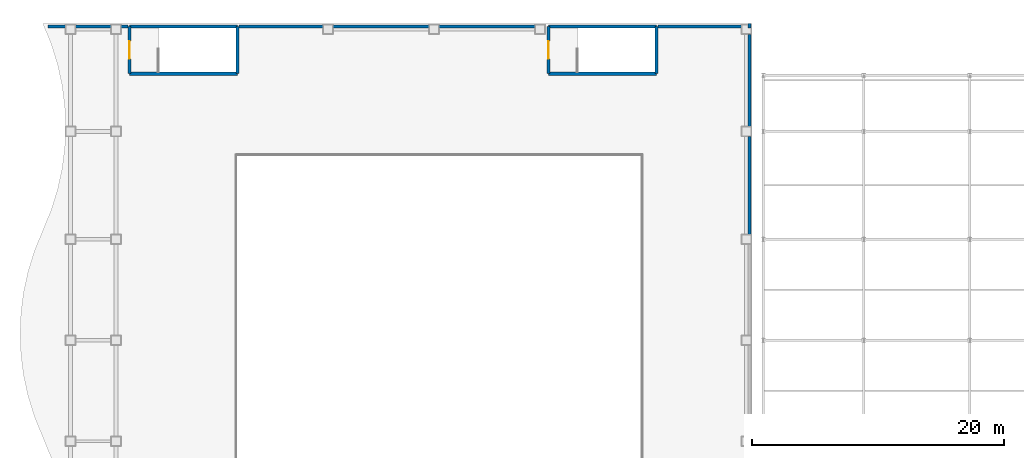
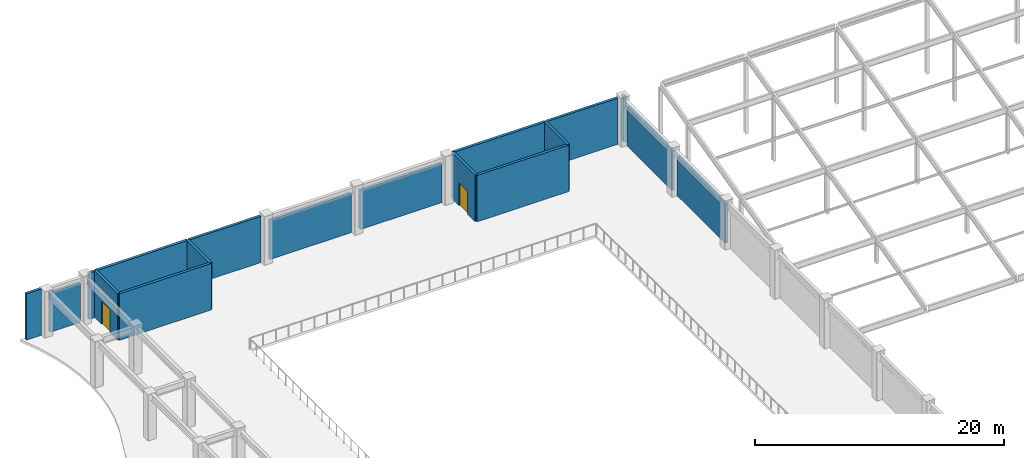
# One storey, part 75 of 93: 18 walls, 2 doors, 2 openings.
"""IFC4 building model written with IfcOpenShell, lengths in metres."""

import ifcopenshell
import ifcopenshell.guid

model = None  # the IFC model being written
_history = None  # IfcOwnerHistory: only IFC2X3 demands one
_inside = {}  # id of a spatial element -> (the spatial element, [elements in it])
_under = {}  # id of a project, library or spatial element -> (it, [spatial elements below it])
_declared = {}  # id of a project -> (the project, [libraries it declares])
_typed = {}  # id of a type object -> (the type object, [elements of that type])
_made_of = {}  # id of a material, layer set ... -> (it, [elements and type objects made of it])


def new_model(schema):
    """Start an empty IFC model of exactly this schema.

    Asked for "IFC4X3", IfcOpenShell would pick the latest addendum, in which some entities
    have other attributes; the version numbers below select the first issue.
    IFC2X3 requires an IfcOwnerHistory on every rooted entity: one is made here for all.
    """
    global model, _history
    if schema == "IFC4X3":
        model = ifcopenshell.file(schema_version=(4, 3, 0, 0))
    else:
        model = ifcopenshell.file(schema=schema)
    _inside.clear()
    _under.clear()
    _declared.clear()
    _typed.clear()
    _made_of.clear()
    _history = None
    if model.schema == "IFC2X3":
        org = make("IfcOrganization", Name="unknown")
        user = make(
            "IfcPersonAndOrganization",
            ThePerson=make("IfcPerson", FamilyName="unknown"),
            TheOrganization=org,
        )
        app = make(
            "IfcApplication",
            ApplicationDeveloper=org,
            Version="unknown",
            ApplicationFullName="unknown",
            ApplicationIdentifier="unknown",
        )
        _history = make(
            "IfcOwnerHistory",
            OwningUser=user,
            OwningApplication=app,
            ChangeAction="ADDED",
            CreationDate=0,
        )
    return model


def make(cls, **values):
    """One entity of the class cls with the attributes given. An attribute that is None is left unset."""
    return model.create_entity(
        cls, **{name: value for name, value in values.items() if value is not None}
    )


def rooted(cls, **values):
    """An entity with a GlobalId (a new one), such as an element, a storey or a relation."""
    return make(cls, GlobalId=ifcopenshell.guid.new(), OwnerHistory=_history, **values)


def si_unit(unit_type, name, prefix=None):
    """IfcSIUnit, for example si_unit("LENGTHUNIT", "METRE", prefix="MILLI")."""
    return make("IfcSIUnit", UnitType=unit_type, Prefix=prefix, Name=name)


def assignment(units):
    """IfcUnitAssignment: the units of a project."""
    return None if units is None else make("IfcUnitAssignment", Units=units)


def point(xyz):
    """IfcCartesianPoint."""
    return None if xyz is None else make("IfcCartesianPoint", Coordinates=xyz)


def direction(xyz):
    """IfcDirection."""
    return None if xyz is None else make("IfcDirection", DirectionRatios=xyz)


def frame(location, z_axis=None, x_axis=None):
    """IfcAxis2Placement3D, a coordinate frame: its origin and axes. An axis left out is left unset."""
    return make(
        "IfcAxis2Placement3D",
        Location=point(location),
        Axis=direction(z_axis),
        RefDirection=direction(x_axis),
    )


def frame_2d(location, x_axis=None):
    """IfcAxis2Placement2D, a coordinate frame in the plane: its origin and x axis."""
    return make(
        "IfcAxis2Placement2D", Location=point(location), RefDirection=direction(x_axis)
    )


def origin():
    """The frame at (0, 0, 0) with its axes left unset."""
    return frame((0.0, 0.0, 0.0))


def place(relative_to, where):
    """IfcLocalPlacement: puts the frame where relative to a parent placement (None: the world)."""
    return make(
        "IfcLocalPlacement", PlacementRelTo=relative_to, RelativePlacement=where
    )


def context(
    kind, dimensions, precision=None, world=None, true_north=None, identifier=None
):
    """IfcGeometricRepresentationContext, for example the 3D "Model" context."""
    return make(
        "IfcGeometricRepresentationContext",
        ContextIdentifier=identifier,
        ContextType=kind,
        CoordinateSpaceDimension=dimensions,
        Precision=precision,
        WorldCoordinateSystem=world,
        TrueNorth=true_north,
    )


def subcontext(parent, identifier, kind, view, scale=None):
    """IfcGeometricRepresentationSubContext, for example "Body" below "Model"."""
    return make(
        "IfcGeometricRepresentationSubContext",
        ContextIdentifier=identifier,
        ContextType=kind,
        ParentContext=parent,
        TargetScale=scale,
        TargetView=view,
    )


def project(units=None, contexts=None):
    """IfcProject with its units and contexts."""
    return rooted(
        "IfcProject",
        Name="project",
        RepresentationContexts=contexts,
        UnitsInContext=assignment(units),
    )


def spatial(cls, under=None, at=None, **own):
    """A site, building, storey or space (cls), placed at a placement, below another one or the project."""
    s = rooted(cls, ObjectPlacement=at, **own)
    if under is not None:
        _under.setdefault(under.id(), (under, []))[1].append(s)
    return s


def profile(cls, at=None, kind="AREA", **sizes):
    """A parametric profile (cls). Its sizes go by their IFC names, for example OverallWidth=200.0."""
    return make(cls, ProfileType=kind, Position=at, **sizes)


def rectangle(**sizes):
    """IfcRectangleProfileDef."""
    return profile("IfcRectangleProfileDef", **sizes)


def extrude(swept, where, along, depth):
    """IfcExtrudedAreaSolid: the profile swept, set in the frame where, extruded along a direction by depth."""
    return make(
        "IfcExtrudedAreaSolid",
        SweptArea=swept,
        Position=where,
        ExtrudedDirection=direction(along),
        Depth=depth,
    )


def shape(context_of_items, identifier, shape_type, items):
    """IfcShapeRepresentation: the items that make up one representation, for example the "Body"."""
    return make(
        "IfcShapeRepresentation",
        ContextOfItems=context_of_items,
        RepresentationIdentifier=identifier,
        RepresentationType=shape_type,
        Items=items,
    )


def material(Name=None, Category=None):
    """IfcMaterial."""
    return make("IfcMaterial", Name=Name, Category=Category)


def layer(
    of_material, thickness, ventilated=None, Name=None, Category=None, Priority=None
):
    """IfcMaterialLayer: one layer of a wall or slab, of a material (None: an air gap)."""
    return make(
        "IfcMaterialLayer",
        Material=of_material,
        LayerThickness=thickness,
        IsVentilated=ventilated,
        Name=Name,
        Category=Category,
        Priority=Priority,
    )


def layer_set(layers, Name=None):
    """IfcMaterialLayerSet."""
    return make("IfcMaterialLayerSet", MaterialLayers=layers, LayerSetName=Name)


def made_of(thing, what):
    """Note that an element or type object is made of a material, layer set ...; save() writes the relation."""
    if what is not None:
        _made_of.setdefault(what.id(), (what, []))[1].append(thing)
    return thing


def type_object(cls, material=None, **own):
    """A type object (cls), such as IfcWallType, which elements share."""
    return made_of(rooted(cls, **own), material)


def element(
    cls,
    number,
    at=None,
    inside=None,
    cuts=None,
    type_object=None,
    material=None,
    context=None,
    identifier="Body",
    shape_type=None,
    held_by="IfcProductDefinitionShape",
    body=None,
    shapes=None,
    **own,
):
    """One element of the class cls, such as IfcWall. Its Tag is "e" and its number.

    at: its placement. inside: the storey or other place that contains it. cuts: it is an
    opening in that element (IfcRelVoidsElement). A single representation is given by context,
    identifier, shape_type and body (its items); several are given by shapes. held_by: the class
    of the entity that holds the representations. save() writes the other relations.
    """
    e = rooted(cls, Tag="e%d" % number, ObjectPlacement=at, **own)
    if body is not None:
        shapes = [shape(context, identifier, shape_type, body)]
    if shapes is not None:
        e.Representation = make(held_by, Representations=shapes)
    if inside is not None:
        _inside.setdefault(inside.id(), (inside, []))[1].append(e)
    if cuts is not None:
        rooted(
            "IfcRelVoidsElement", RelatingBuildingElement=cuts, RelatedOpeningElement=e
        )
    if type_object is not None:
        _typed.setdefault(type_object.id(), (type_object, []))[1].append(e)
    return made_of(e, material)


def fill(opening, filler):
    """IfcRelFillsElement: the door or window that sits in an opening."""
    return rooted(
        "IfcRelFillsElement",
        RelatingOpeningElement=opening,
        RelatedBuildingElement=filler,
    )


def aggregate(whole, parts):
    """IfcRelAggregates: a whole, such as a stair, and the parts it consists of."""
    return rooted("IfcRelAggregates", RelatingObject=whole, RelatedObjects=parts)


def save(model, path):
    """Write the relations noted so far, then the file.

    IfcRelAggregates (storeys below a building ...), IfcRelContainedInSpatialStructure (elements
    in a storey), IfcRelDefinesByType, IfcRelAssociatesMaterial and IfcRelDeclares: one each for
    every whole, place, type object, material and project.
    """
    for whole, parts in _under.values():
        aggregate(whole, parts)
    for where, things in _inside.values():
        rooted(
            "IfcRelContainedInSpatialStructure",
            RelatedElements=things,
            RelatingStructure=where,
        )
    for kind, things in _typed.values():
        rooted("IfcRelDefinesByType", RelatedObjects=things, RelatingType=kind)
    for what, things in _made_of.values():
        rooted("IfcRelAssociatesMaterial", RelatedObjects=things, RelatingMaterial=what)
    for by, libraries in _declared.values():
        rooted("IfcRelDeclares", RelatingContext=by, RelatedDefinitions=libraries)
    model.write(path)


model = new_model("IFC4")

# Units and contexts
model_context = context("Model", 3, precision=1e-05, world=origin(), true_north=direction((0.0, 1.0)))
body_context = subcontext(model_context, "Body", "Model", "MODEL_VIEW")
ifc_project = project(units=[si_unit("LENGTHUNIT", "METRE"), si_unit("AREAUNIT", "SQUARE_METRE"), si_unit("VOLUMEUNIT", "CUBIC_METRE"), si_unit("PLANEANGLEUNIT", "RADIAN"), si_unit("MASSUNIT", "GRAM", prefix="KILO")], contexts=[model_context])

# Site, building, storey
site_placement = place(None, origin())
site = spatial("IfcSite", under=ifc_project, at=site_placement, CompositionType="ELEMENT")
building_placement = place(site_placement, origin())
building = spatial("IfcBuilding", under=site, at=building_placement, Name="Kazehara Bluff Congress Hotel", CompositionType="ELEMENT")
storey_placement = place(building_placement, frame((0.0, 0.0, 15.0)))
storey = spatial("IfcBuildingStorey", under=building, at=storey_placement, Name="L03", CompositionType="ELEMENT", Elevation=15.0)

# Wall, opening, door
ifc_material_1 = material(Name="Concrete C40/50", Category="concrete")
ifc_layer_1 = layer(ifc_material_1, 0.25)
ifc_layer_set_1 = layer_set([ifc_layer_1], Name="Concrete C40/50")
wall_type_1 = type_object("IfcWallType", Name="TP-CW-RC", PredefinedType="SHEAR", material=ifc_layer_set_1)
wall_1_placement = place(storey_placement, frame((9.47509765625, 110.02490234375, 0.0), z_axis=(0.0, 0.0, 1.0), x_axis=(0.0, 1.0, 0.0)))
wall_1 = element("IfcWall", 1, at=wall_1_placement, inside=storey, type_object=wall_type_1, Name="L03 ST-01 core wall near", PredefinedType="SHEAR", context=body_context, shape_type="SweptSolid", body=[
    extrude(rectangle(XDim=3.75, YDim=0.25, at=frame_2d((1.875, 0.0))), origin(), (0.0, 0.0, 1.0), 4.56005859375),
])
opening_1_placement = place(wall_1_placement, frame((1.175048828125, 0.0, 0.0)))
opening_1 = element("IfcOpeningElement", 2, at=opening_1_placement, cuts=wall_1, Name="Opening FD-03", PredefinedType="OPENING", context=body_context, shape_type="SweptSolid", body=[
    extrude(rectangle(XDim=1.39990234375, YDim=2.25, at=frame_2d((0.699951171875, 1.125))), frame((0.0, 0.135009765625, 0.0), z_axis=(0.0, -1.0, 0.0), x_axis=(1.0, 0.0, 0.0)), (0.0, 0.0, 1.0), 0.27001953125),
])
ifc_material_2 = material(Name="Fire-rated painted steel leaf", Category="steel")
door_type = type_object("IfcDoorType", Name="TP-FD-03", OperationType="NOTDEFINED", PredefinedType="DOOR", material=ifc_material_2)
door_1_placement = place(opening_1_placement, origin())
door_1 = element("IfcDoor", 3, at=door_1_placement, inside=storey, type_object=door_type, Name="L03 ST-01 fire stair door", OperationType="SINGLE_SWING_RIGHT", OverallHeight=2.25, OverallWidth=1.39990234375, PredefinedType="DOOR", context=body_context, shape_type="SweptSolid", body=[
    extrude(rectangle(XDim=1.39990234375, YDim=2.25, at=frame_2d((0.699951171875, 1.125))), frame((0.0, 0.02490234375, 0.0), z_axis=(0.0, -1.0, 0.0), x_axis=(1.0, 0.0, 0.0)), (0.0, 0.0, 1.0), 0.050048828125),
])
fill(opening_1, door_1)

# Walls
wall_2_placement = place(storey_placement, frame((18.02490234375, 113.77490234375, 0.0), z_axis=(0.0, 0.0, 1.0), x_axis=(0.0, -1.0, 0.0)))
element("IfcWall", 4, at=wall_2_placement, inside=storey, type_object=wall_type_1, Name="L03 ST-01 core wall far", PredefinedType="SHEAR", context=body_context, shape_type="SweptSolid", body=[
    extrude(rectangle(XDim=3.75, YDim=0.25, at=frame_2d((1.875, 0.0))), origin(), (0.0, 0.0, 1.0), 4.56005859375),
])
for number, where, z_axis, x_axis, name in (
    (5, (18.02490234375, 110.02490234375, 0.0), (0.0, 0.0, 1.0), (-1.0, 0.0, 0.0), "L03 ST-01 core wall left"),
    (6, (9.47509765625, 113.77490234375, 0.0), (0.0, 0.0, 1.0), (1.0, 0.0, 0.0), "L03 ST-01 core wall right"),
):
    element("IfcWall", number, at=place(storey_placement, frame(where, z_axis=z_axis, x_axis=x_axis)), inside=storey, type_object=wall_type_1, Name=name, PredefinedType="SHEAR", context=body_context, shape_type="SweptSolid", body=[
        extrude(rectangle(XDim=8.5498046875, YDim=0.25, at=frame_2d((4.27490234375, 0.0))), origin(), (0.0, 0.0, 1.0), 4.56005859375),
    ])

# Wall, opening, door
wall_3_placement = place(storey_placement, frame((42.675048828125, 110.02490234375, 0.0), z_axis=(0.0, 0.0, 1.0), x_axis=(0.0, 1.0, 0.0)))
wall_3 = element("IfcWall", 7, at=wall_3_placement, inside=storey, type_object=wall_type_1, Name="L03 ST-02 core wall near", PredefinedType="SHEAR", context=body_context, shape_type="SweptSolid", body=[
    extrude(rectangle(XDim=3.75, YDim=0.25, at=frame_2d((1.875, 0.0))), origin(), (0.0, 0.0, 1.0), 4.56005859375),
])
opening_2_placement = place(wall_3_placement, frame((1.175048828125, 0.0, 0.0)))
opening_2 = element("IfcOpeningElement", 8, at=opening_2_placement, cuts=wall_3, Name="Opening FD-03", PredefinedType="OPENING", context=body_context, shape_type="SweptSolid", body=[
    extrude(rectangle(XDim=1.39990234375, YDim=2.25, at=frame_2d((0.699951171875, 1.125))), frame((0.0, 0.135009765625, 0.0), z_axis=(0.0, -1.0, 0.0), x_axis=(1.0, 0.0, 0.0)), (0.0, 0.0, 1.0), 0.27001953125),
])
door_2_placement = place(opening_2_placement, origin())
door_2 = element("IfcDoor", 9, at=door_2_placement, inside=storey, type_object=door_type, Name="L03 ST-02 fire stair door", OperationType="SINGLE_SWING_LEFT", OverallHeight=2.25, OverallWidth=1.39990234375, PredefinedType="DOOR", context=body_context, shape_type="SweptSolid", body=[
    extrude(rectangle(XDim=1.39990234375, YDim=2.25, at=frame_2d((0.699951171875, 1.125))), frame((0.0, 0.02490234375, 0.0), z_axis=(0.0, -1.0, 0.0), x_axis=(1.0, 0.0, 0.0)), (0.0, 0.0, 1.0), 0.050048828125),
])
fill(opening_2, door_2)

# Walls
wall_4_placement = place(storey_placement, frame((51.22509765625, 113.77490234375, 0.0), z_axis=(0.0, 0.0, 1.0), x_axis=(0.0, -1.0, 0.0)))
element("IfcWall", 10, at=wall_4_placement, inside=storey, type_object=wall_type_1, Name="L03 ST-02 core wall far", PredefinedType="SHEAR", context=body_context, shape_type="SweptSolid", body=[
    extrude(rectangle(XDim=3.75, YDim=0.25, at=frame_2d((1.875, 0.0))), origin(), (0.0, 0.0, 1.0), 4.56005859375),
])
for number, where, z_axis, x_axis, name in (
    (11, (51.22509765625, 110.02490234375, 0.0), (0.0, 0.0, 1.0), (-1.0, 0.0, 0.0), "L03 ST-02 core wall left"),
    (12, (42.675048828125, 113.77490234375, 0.0), (0.0, 0.0, 1.0), (1.0, 0.0, 0.0), "L03 ST-02 core wall right"),
):
    element("IfcWall", number, at=place(storey_placement, frame(where, z_axis=z_axis, x_axis=x_axis)), inside=storey, type_object=wall_type_1, Name=name, PredefinedType="SHEAR", context=body_context, shape_type="SweptSolid", body=[
        extrude(rectangle(XDim=8.550048828125, YDim=0.25, at=frame_2d((4.27490234375, 0.0))), origin(), (0.0, 0.0, 1.0), 4.56005859375),
    ])
ifc_material_3 = material(Name="Precast concrete C40/50", Category="concrete")
ifc_layer_2 = layer(ifc_material_3, 0.239990234375)
ifc_layer_set_2 = layer_set([ifc_layer_2], Name="Precast concrete C40/50")
wall_type_2 = type_object("IfcWallType", Name="TP-EW-240", PredefinedType="SOLIDWALL", material=ifc_layer_set_2)
wall_5_placement = place(storey_placement, frame((58.580078125, 105.050048828125, 0.0), z_axis=(0.0, 0.0, 1.0), x_axis=(0.0, -1.0, 0.0)))
element("IfcWall", 13, at=wall_5_placement, inside=storey, type_object=wall_type_2, Name="L03 V1 perimeter spandrel pier 677", PredefinedType="SOLIDWALL", context=body_context, shape_type="SweptSolid", body=[
    extrude(rectangle(XDim=7.75, YDim=0.239990234375, at=frame_2d((3.875, 0.0))), origin(), (0.0, 0.0, 1.0), 3.885009765625),
])
wall_6_placement = place(storey_placement, frame((58.580078125, 113.14990234375, 0.0), z_axis=(0.0, 0.0, 1.0), x_axis=(0.0, -1.0, 0.0)))
element("IfcWall", 14, at=wall_6_placement, inside=storey, type_object=wall_type_2, Name="L03 V1 perimeter spandrel pier 678", PredefinedType="SOLIDWALL", context=body_context, shape_type="SweptSolid", body=[
    extrude(rectangle(XDim=7.2998046875, YDim=0.239990234375, at=frame_2d((3.64990234375, 0.0))), origin(), (0.0, 0.0, 1.0), 3.885009765625),
])
wall_7_placement = place(storey_placement, frame((58.580078125, 114.0, 0.0), z_axis=(0.0, 0.0, 1.0), x_axis=(0.0, -1.0, 0.0)))
element("IfcWall", 15, at=wall_7_placement, inside=storey, type_object=wall_type_2, Name="L03 V1 perimeter spandrel pier 679", PredefinedType="SOLIDWALL", context=body_context, shape_type="SweptSolid", body=[
    extrude(rectangle(XDim=0.360107421875, YDim=0.239990234375, at=frame_2d((0.18017578125, 0.0))), origin(), (0.0, 0.0, 1.0), 4.544921875),
])
wall_8_placement = place(storey_placement, frame((3.010009765625, 113.780029296875, 0.0), z_axis=(0.0, 0.0, 1.0), x_axis=(1.0, 0.0, 0.0)))
element("IfcWall", 16, at=wall_8_placement, inside=storey, type_object=wall_type_2, Name="L03 V1 perimeter spandrel pier 680", PredefinedType="SOLIDWALL", context=body_context, shape_type="SweptSolid", body=[
    extrude(rectangle(XDim=1.389892578125, YDim=0.239990234375, at=frame_2d((0.69482421875, 0.0))), origin(), (0.0, 0.0, 1.0), 4.544921875),
])
wall_9_placement = place(storey_placement, frame((5.199951171875, 113.780029296875, 0.0), z_axis=(0.0, 0.0, 1.0), x_axis=(1.0, 0.0, 0.0)))
element("IfcWall", 17, at=wall_9_placement, inside=storey, type_object=wall_type_2, Name="L03 V1 perimeter spandrel pier 681", PredefinedType="SOLIDWALL", context=body_context, shape_type="SweptSolid", body=[
    extrude(rectangle(XDim=2.800048828125, YDim=0.239990234375, at=frame_2d((1.39990234375, 0.0))), origin(), (0.0, 0.0, 1.0), 3.885009765625),
])
wall_10_placement = place(storey_placement, frame((8.800048828125, 113.780029296875, 0.0), z_axis=(0.0, 0.0, 1.0), x_axis=(1.0, 0.0, 0.0)))
element("IfcWall", 18, at=wall_10_placement, inside=storey, type_object=wall_type_2, Name="L03 V1 perimeter spandrel pier 682", PredefinedType="SOLIDWALL", context=body_context, shape_type="SweptSolid", body=[
    extrude(rectangle(XDim=0.5400390625, YDim=0.239990234375, at=frame_2d((0.27001953125, 0.0))), origin(), (0.0, 0.0, 1.0), 4.544921875),
])
wall_11_placement = place(storey_placement, frame((18.159912109375, 113.780029296875, 0.0), z_axis=(0.0, 0.0, 1.0), x_axis=(1.0, 0.0, 0.0)))
element("IfcWall", 19, at=wall_11_placement, inside=storey, type_object=wall_type_2, Name="L03 V1 perimeter spandrel pier 683", PredefinedType="SOLIDWALL", context=body_context, shape_type="SweptSolid", body=[
    extrude(rectangle(XDim=6.64013671875, YDim=0.239990234375, at=frame_2d((3.320068359375, 0.0))), origin(), (0.0, 0.0, 1.0), 4.544921875),
])
wall_12_placement = place(storey_placement, frame((25.60009765625, 113.780029296875, 0.0), z_axis=(0.0, 0.0, 1.0), x_axis=(1.0, 0.0, 0.0)))
element("IfcWall", 20, at=wall_12_placement, inside=storey, type_object=wall_type_2, Name="L03 V1 perimeter spandrel pier 684", PredefinedType="SOLIDWALL", context=body_context, shape_type="SweptSolid", body=[
    extrude(rectangle(XDim=7.599853515625, YDim=0.239990234375, at=frame_2d((3.7998046875, 0.0))), origin(), (0.0, 0.0, 1.0), 3.885009765625),
])
wall_13_placement = place(storey_placement, frame((34.0, 113.780029296875, 0.0), z_axis=(0.0, 0.0, 1.0), x_axis=(1.0, 0.0, 0.0)))
element("IfcWall", 21, at=wall_13_placement, inside=storey, type_object=wall_type_2, Name="L03 V1 perimeter spandrel pier 685", PredefinedType="SOLIDWALL", context=body_context, shape_type="SweptSolid", body=[
    extrude(rectangle(XDim=7.60009765625, YDim=0.239990234375, at=frame_2d((3.800048828125, 0.0))), origin(), (0.0, 0.0, 1.0), 3.885009765625),
])
wall_14_placement = place(storey_placement, frame((51.360107421875, 113.780029296875, 0.0), z_axis=(0.0, 0.0, 1.0), x_axis=(1.0, 0.0, 0.0)))
element("IfcWall", 22, at=wall_14_placement, inside=storey, type_object=wall_type_2, Name="L03 V1 perimeter spandrel pier 686", PredefinedType="SOLIDWALL", context=body_context, shape_type="SweptSolid", body=[
    extrude(rectangle(XDim=6.58984375, YDim=0.239990234375, at=frame_2d((3.294921875, 0.0))), origin(), (0.0, 0.0, 1.0), 4.544921875),
])

save(model, "model.ifc")
